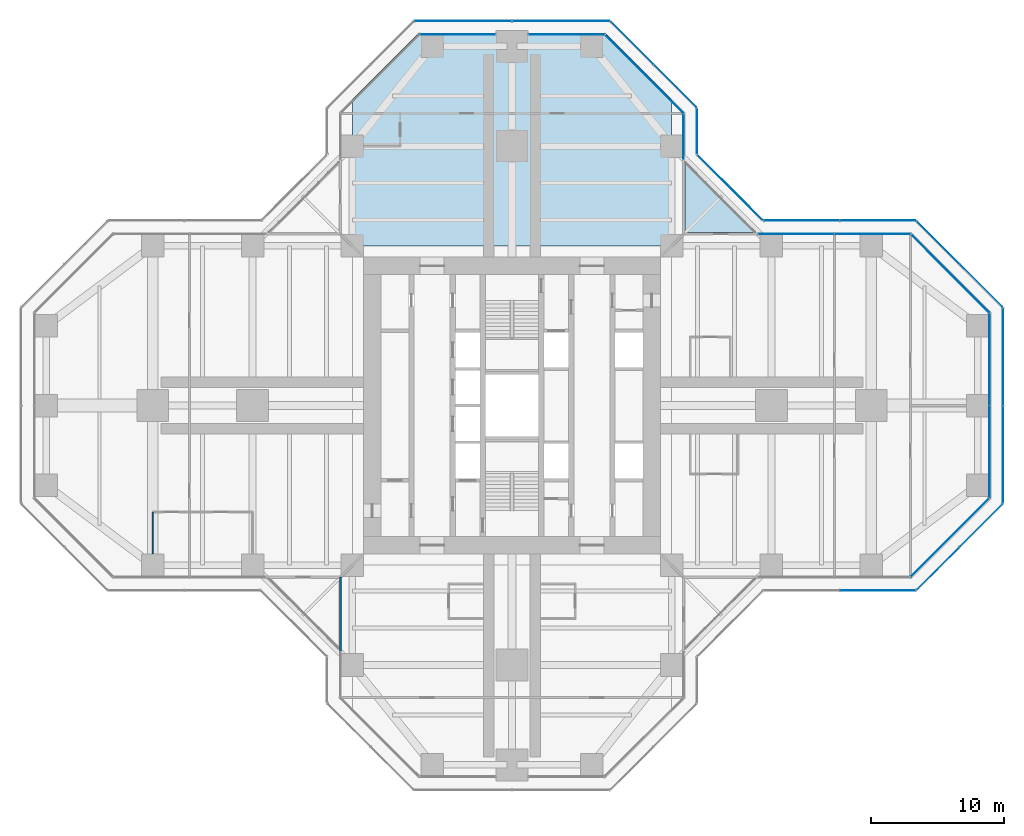
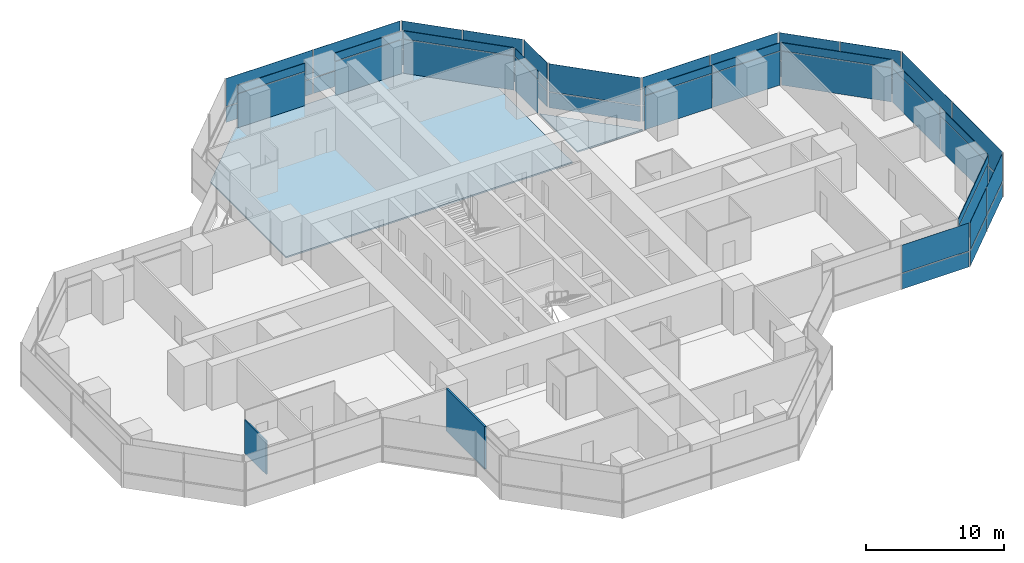
# One storey, part 14 of 19: 50 plates, 2 slabs, 2 walls, 17 elements without a shape of their own.
"""IFC4 building model written with IfcOpenShell, lengths in metres."""

from ifc_helpers import new_model, si_unit, direction, frame, frame_2d, origin, origin_2d, place, context, subcontext, project, spatial, polyline, rectangle, outline, extrude, material, layer, layer_set, type_object, element, aggregate, save


model = new_model("IFC4")

# Units and contexts
model_context = context("Model", 3, precision=1e-05, world=origin(), true_north=direction((0.0, 1.0)))
body_context = subcontext(model_context, "Body", "Model", "MODEL_VIEW")
ifc_project = project(units=[si_unit("LENGTHUNIT", "METRE"), si_unit("AREAUNIT", "SQUARE_METRE"), si_unit("VOLUMEUNIT", "CUBIC_METRE"), si_unit("PLANEANGLEUNIT", "RADIAN"), si_unit("MASSUNIT", "GRAM", prefix="KILO")], contexts=[model_context])

# Site, building, storey
site_placement = place(None, origin())
site = spatial("IfcSite", under=ifc_project, at=site_placement, CompositionType="ELEMENT")
building_placement = place(site_placement, origin())
building = spatial("IfcBuilding", under=site, at=building_placement, Name="Mizan Broadcast Tower", CompositionType="ELEMENT")
storey_placement = place(building_placement, frame((0.0, 0.0, 182.699951171875)))
storey = spatial("IfcBuildingStorey", under=building, at=storey_placement, Name="L42", CompositionType="ELEMENT", Elevation=182.699951171875)

# Slab
ifc_material_1 = material(Name="Concrete C32/40", Category="concrete")
ifc_layer_1 = layer(ifc_material_1, 0.1298828125)
ifc_layer_set_1 = layer_set([ifc_layer_1], Name="Concrete C32/40")
slab_type_1 = type_object("IfcSlabType", Name="COMPOSITE DECK SLAB 130", PredefinedType="FLOOR", material=ifc_layer_set_1)
slab_1_placement = place(storey_placement, frame((0.0, 0.0, -0.1298828125)))
element("IfcSlab", 1, at=slab_1_placement, inside=storey, type_object=slab_type_1, Name="Floor slab L42 north arm", PredefinedType="FLOOR", context=body_context, shape_type="SweptSolid", body=[
    extrude(outline(polyline([(-7.0, 28.0), (-12.0, 23.0), (-12.0, 12.0), (12.0, 12.0), (12.0, 23.0), (7.0, 28.0), (-7.0, 28.0)])), origin(), (0.0, 0.0, 1.0), 0.1298828125),
])

# Curtain wall, plate
ifc_material_2 = material(Name="Aluminium framed glazing", Category="aluminium")
curtain_wall_type_1 = type_object("IfcCurtainWallType", Name="INNER SKIN MID ZONE", PredefinedType="USERDEFINED", material=ifc_material_2)
curtain_wall_1_placement = place(storey_placement, origin())
curtain_wall_1 = element("IfcCurtainWall", 2, at=curtain_wall_1_placement, inside=storey, type_object=curtain_wall_type_1, Name="Inner skin mid zone L42 E chamfer", ObjectType="INNER SKIN MID ZONE", PredefinedType="USERDEFINED")
ifc_material_3 = material(Name="Double glazing, clear low-e", Category="glass")
ifc_layer_2 = layer(ifc_material_3, 0.028076171875)
ifc_layer_set_2 = layer_set([ifc_layer_2], Name="Double glazing, clear low-e")
plate_type_1 = type_object("IfcPlateType", Name="INNER SKIN GLAZING UNIT", PredefinedType="CURTAIN_PANEL", material=ifc_layer_set_2)
plate_1_placement = place(storey_placement, frame((32.92919921875, -9.92919921875, 0.0), z_axis=(0.0, 0.0, 1.0), x_axis=(0.707106781187, 0.707106781187, 0.0)))
plate_1 = element("IfcPlate", 3, at=plate_1_placement, type_object=plate_type_1, Name="Inner skin mid zone L42 E chamfer panel 1.1", PredefinedType="CURTAIN_PANEL", context=body_context, shape_type="SweptSolid", body=[
    extrude(rectangle(XDim=8.282470703125, YDim=0.028076171875, at=origin_2d()), origin(), (0.0, 0.0, 1.0), 3.0),
])

# Curtain wall, plates
curtain_wall_2_placement = place(storey_placement, origin())
curtain_wall_2 = element("IfcCurtainWall", 4, at=curtain_wall_2_placement, inside=storey, type_object=curtain_wall_type_1, Name="Inner skin mid zone L42 E end", ObjectType="INNER SKIN MID ZONE", PredefinedType="USERDEFINED")
plate_2_placement = place(storey_placement, frame((35.89990234375, -3.46435546875, 0.0), z_axis=(0.0, 0.0, 1.0), x_axis=(0.0, 1.0, 0.0)))
plate_2 = element("IfcPlate", 5, at=plate_2_placement, type_object=plate_type_1, Name="Inner skin mid zone L42 E end panel 1.1", PredefinedType="CURTAIN_PANEL", context=body_context, shape_type="SweptSolid", body=[
    extrude(rectangle(XDim=6.86865234375, YDim=0.028076171875, at=origin_2d()), origin(), (0.0, 0.0, 1.0), 3.0),
])
plate_3_placement = place(storey_placement, frame((35.89990234375, 3.46435546875, 0.0), z_axis=(0.0, 0.0, 1.0), x_axis=(0.0, 1.0, 0.0)))
plate_3 = element("IfcPlate", 6, at=plate_3_placement, type_object=plate_type_1, Name="Inner skin mid zone L42 E end panel 2.1", PredefinedType="CURTAIN_PANEL", context=body_context, shape_type="SweptSolid", body=[
    extrude(rectangle(XDim=6.86865234375, YDim=0.028076171875, at=origin_2d()), origin(), (0.0, 0.0, 1.0), 3.0),
])

# Curtain wall, plate
curtain_wall_3_placement = place(storey_placement, origin())
curtain_wall_3 = element("IfcCurtainWall", 7, at=curtain_wall_3_placement, inside=storey, type_object=curtain_wall_type_1, Name="Inner skin mid zone L42 E chamfer", ObjectType="INNER SKIN MID ZONE", PredefinedType="USERDEFINED")
plate_4_placement = place(storey_placement, frame((32.92919921875, 9.92919921875, 0.0), z_axis=(0.0, 0.0, 1.0), x_axis=(-0.707106781187, 0.707106781187, 0.0)))
plate_4 = element("IfcPlate", 8, at=plate_4_placement, type_object=plate_type_1, Name="Inner skin mid zone L42 E chamfer panel 1.1", PredefinedType="CURTAIN_PANEL", context=body_context, shape_type="SweptSolid", body=[
    extrude(rectangle(XDim=8.282470703125, YDim=0.028076171875, at=origin_2d()), origin(), (0.0, 0.0, 1.0), 3.0),
])

# Curtain wall, plates
curtain_wall_4_placement = place(storey_placement, origin())
curtain_wall_4 = element("IfcCurtainWall", 9, at=curtain_wall_4_placement, inside=storey, type_object=curtain_wall_type_1, Name="Inner skin mid zone L42 E side", ObjectType="INNER SKIN MID ZONE", PredefinedType="USERDEFINED")
plate_5_placement = place(storey_placement, frame((27.078857421875, 12.89990234375, 0.0), z_axis=(0.0, 0.0, 1.0), x_axis=(-1.0, 0.0, 0.0)))
plate_5 = element("IfcPlate", 10, at=plate_5_placement, type_object=plate_type_1, Name="Inner skin mid zone L42 E side panel 1.1", PredefinedType="CURTAIN_PANEL", context=body_context, shape_type="SweptSolid", body=[
    extrude(rectangle(XDim=5.639404296875, YDim=0.028076171875, at=origin_2d()), origin(), (0.0, 0.0, 1.0), 3.0),
])
plate_6_placement = place(storey_placement, frame((21.379638671875, 12.89990234375, 0.0), z_axis=(0.0, 0.0, 1.0), x_axis=(-1.0, 0.0, 0.0)))
plate_6 = element("IfcPlate", 11, at=plate_6_placement, type_object=plate_type_1, Name="Inner skin mid zone L42 E side panel 2.1", PredefinedType="CURTAIN_PANEL", context=body_context, shape_type="SweptSolid", body=[
    extrude(rectangle(XDim=5.639404296875, YDim=0.028076171875, at=origin_2d()), origin(), (0.0, 0.0, 1.0), 3.0),
])

# Curtain wall, plate
curtain_wall_5_placement = place(storey_placement, origin())
curtain_wall_5 = element("IfcCurtainWall", 12, at=curtain_wall_5_placement, inside=storey, type_object=curtain_wall_type_1, Name="Inner skin mid zone L42 N side", ObjectType="INNER SKIN MID ZONE", PredefinedType="USERDEFINED")
plate_7_placement = place(storey_placement, frame((12.89990234375, 20.229248046875, 0.0), z_axis=(0.0, 0.0, 1.0), x_axis=(0.0, 1.0, 0.0)))
plate_7 = element("IfcPlate", 13, at=plate_7_placement, type_object=plate_type_1, Name="Inner skin mid zone L42 N side panel 1.1", PredefinedType="CURTAIN_PANEL", context=body_context, shape_type="SweptSolid", body=[
    extrude(rectangle(XDim=3.338623046875, YDim=0.028076171875, at=origin_2d()), origin(), (0.0, 0.0, 1.0), 3.0),
])

curtain_wall_6_placement = place(storey_placement, origin())
curtain_wall_6 = element("IfcCurtainWall", 14, at=curtain_wall_6_placement, inside=storey, type_object=curtain_wall_type_1, Name="Inner skin mid zone L42 N chamfer", ObjectType="INNER SKIN MID ZONE", PredefinedType="USERDEFINED")
plate_8_placement = place(storey_placement, frame((9.92919921875, 24.92919921875, 0.0), z_axis=(0.0, 0.0, 1.0), x_axis=(-0.707106781187, 0.707106781187, 0.0)))
plate_8 = element("IfcPlate", 15, at=plate_8_placement, type_object=plate_type_1, Name="Inner skin mid zone L42 N chamfer panel 1.1", PredefinedType="CURTAIN_PANEL", context=body_context, shape_type="SweptSolid", body=[
    extrude(rectangle(XDim=8.282470703125, YDim=0.028076171875, at=origin_2d()), origin(), (0.0, 0.0, 1.0), 3.0),
])

curtain_wall_7_placement = place(storey_placement, origin())
curtain_wall_7 = element("IfcCurtainWall", 16, at=curtain_wall_7_placement, inside=storey, type_object=curtain_wall_type_1, Name="Inner skin mid zone L42 N end", ObjectType="INNER SKIN MID ZONE", PredefinedType="USERDEFINED")
plate_9_placement = place(storey_placement, frame((4.079345703125, 27.89990234375, 0.0), z_axis=(0.0, 0.0, 1.0), x_axis=(-1.0, 0.0, 0.0)))
plate_9 = element("IfcPlate", 17, at=plate_9_placement, type_object=plate_type_1, Name="Inner skin mid zone L42 N end panel 1.1", PredefinedType="CURTAIN_PANEL", context=body_context, shape_type="SweptSolid", body=[
    extrude(rectangle(XDim=5.638671875, YDim=0.028076171875, at=origin_2d()), origin(), (0.0, 0.0, 1.0), 3.0),
])

curtain_wall_8_placement = place(storey_placement, origin())
curtain_wall_8 = element("IfcCurtainWall", 18, at=curtain_wall_8_placement, inside=storey, type_object=curtain_wall_type_1, Name="Inner skin mid zone L42 N end", ObjectType="INNER SKIN MID ZONE", PredefinedType="USERDEFINED")
plate_10_placement = place(storey_placement, frame((-4.079345703125, 27.89990234375, 0.0), z_axis=(0.0, 0.0, 1.0), x_axis=(-1.0, 0.0, 0.0)))
plate_10 = element("IfcPlate", 19, at=plate_10_placement, type_object=plate_type_1, Name="Inner skin mid zone L42 N end panel 1.1", PredefinedType="CURTAIN_PANEL", context=body_context, shape_type="SweptSolid", body=[
    extrude(rectangle(XDim=5.638671875, YDim=0.028076171875, at=origin_2d()), origin(), (0.0, 0.0, 1.0), 3.0),
])

# Plate
ifc_material_4 = material(Name="Insulated aluminium spandrel panel, pale anodised", Category="aluminium")
ifc_layer_3 = layer(ifc_material_4, 0.050048828125)
ifc_layer_set_3 = layer_set([ifc_layer_3], Name="Insulated aluminium spandrel panel, pale anodised")
plate_type_2 = type_object("IfcPlateType", Name="INNER SKIN SPANDREL PANEL", PredefinedType="CURTAIN_PANEL", material=ifc_layer_set_3)
plate_11_placement = place(storey_placement, frame((32.92919921875, -9.92919921875, 3.06005859375), z_axis=(0.0, 0.0, 1.0), x_axis=(0.707106781187, 0.707106781187, 0.0)))
plate_11 = element("IfcPlate", 20, at=plate_11_placement, type_object=plate_type_2, Name="Inner skin mid zone L42 E chamfer panel 1.2", PredefinedType="CURTAIN_PANEL", context=body_context, shape_type="SweptSolid", body=[
    extrude(rectangle(XDim=8.282470703125, YDim=0.050048828125, at=origin_2d()), origin(), (0.0, 0.0, 1.0), 0.7099609375),
])

aggregate(curtain_wall_1, [plate_1, plate_11])

plate_12_placement = place(storey_placement, frame((35.89990234375, -3.46435546875, 3.06005859375), z_axis=(0.0, 0.0, 1.0), x_axis=(0.0, 1.0, 0.0)))
plate_12 = element("IfcPlate", 21, at=plate_12_placement, type_object=plate_type_2, Name="Inner skin mid zone L42 E end panel 1.2", PredefinedType="CURTAIN_PANEL", context=body_context, shape_type="SweptSolid", body=[
    extrude(rectangle(XDim=6.86865234375, YDim=0.050048828125, at=origin_2d()), origin(), (0.0, 0.0, 1.0), 0.7099609375),
])

plate_13_placement = place(storey_placement, frame((35.89990234375, 3.46435546875, 3.06005859375), z_axis=(0.0, 0.0, 1.0), x_axis=(0.0, 1.0, 0.0)))
plate_13 = element("IfcPlate", 22, at=plate_13_placement, type_object=plate_type_2, Name="Inner skin mid zone L42 E end panel 2.2", PredefinedType="CURTAIN_PANEL", context=body_context, shape_type="SweptSolid", body=[
    extrude(rectangle(XDim=6.86865234375, YDim=0.050048828125, at=origin_2d()), origin(), (0.0, 0.0, 1.0), 0.7099609375),
])

aggregate(curtain_wall_2, [plate_2, plate_12, plate_3, plate_13])

plate_14_placement = place(storey_placement, frame((32.92919921875, 9.92919921875, 3.06005859375), z_axis=(0.0, 0.0, 1.0), x_axis=(-0.707106781187, 0.707106781187, 0.0)))
plate_14 = element("IfcPlate", 23, at=plate_14_placement, type_object=plate_type_2, Name="Inner skin mid zone L42 E chamfer panel 1.2", PredefinedType="CURTAIN_PANEL", context=body_context, shape_type="SweptSolid", body=[
    extrude(rectangle(XDim=8.282470703125, YDim=0.050048828125, at=origin_2d()), origin(), (0.0, 0.0, 1.0), 0.7099609375),
])

aggregate(curtain_wall_3, [plate_4, plate_14])

plate_15_placement = place(storey_placement, frame((27.078857421875, 12.89990234375, 3.06005859375), z_axis=(0.0, 0.0, 1.0), x_axis=(-1.0, 0.0, 0.0)))
plate_15 = element("IfcPlate", 24, at=plate_15_placement, type_object=plate_type_2, Name="Inner skin mid zone L42 E side panel 1.2", PredefinedType="CURTAIN_PANEL", context=body_context, shape_type="SweptSolid", body=[
    extrude(rectangle(XDim=5.639404296875, YDim=0.050048828125, at=origin_2d()), origin(), (0.0, 0.0, 1.0), 0.7099609375),
])

plate_16_placement = place(storey_placement, frame((21.379638671875, 12.89990234375, 3.06005859375), z_axis=(0.0, 0.0, 1.0), x_axis=(-1.0, 0.0, 0.0)))
plate_16 = element("IfcPlate", 25, at=plate_16_placement, type_object=plate_type_2, Name="Inner skin mid zone L42 E side panel 2.2", PredefinedType="CURTAIN_PANEL", context=body_context, shape_type="SweptSolid", body=[
    extrude(rectangle(XDim=5.639404296875, YDim=0.050048828125, at=origin_2d()), origin(), (0.0, 0.0, 1.0), 0.7099609375),
])

aggregate(curtain_wall_4, [plate_5, plate_15, plate_6, plate_16])

plate_17_placement = place(storey_placement, frame((12.89990234375, 20.229248046875, 3.06005859375), z_axis=(0.0, 0.0, 1.0), x_axis=(0.0, 1.0, 0.0)))
plate_17 = element("IfcPlate", 26, at=plate_17_placement, type_object=plate_type_2, Name="Inner skin mid zone L42 N side panel 1.2", PredefinedType="CURTAIN_PANEL", context=body_context, shape_type="SweptSolid", body=[
    extrude(rectangle(XDim=3.338623046875, YDim=0.050048828125, at=origin_2d()), origin(), (0.0, 0.0, 1.0), 0.7099609375),
])

aggregate(curtain_wall_5, [plate_7, plate_17])

plate_18_placement = place(storey_placement, frame((9.92919921875, 24.92919921875, 3.06005859375), z_axis=(0.0, 0.0, 1.0), x_axis=(-0.707106781187, 0.707106781187, 0.0)))
plate_18 = element("IfcPlate", 27, at=plate_18_placement, type_object=plate_type_2, Name="Inner skin mid zone L42 N chamfer panel 1.2", PredefinedType="CURTAIN_PANEL", context=body_context, shape_type="SweptSolid", body=[
    extrude(rectangle(XDim=8.282470703125, YDim=0.050048828125, at=origin_2d()), origin(), (0.0, 0.0, 1.0), 0.7099609375),
])

aggregate(curtain_wall_6, [plate_8, plate_18])

plate_19_placement = place(storey_placement, frame((4.079345703125, 27.89990234375, 3.06005859375), z_axis=(0.0, 0.0, 1.0), x_axis=(-1.0, 0.0, 0.0)))
plate_19 = element("IfcPlate", 28, at=plate_19_placement, type_object=plate_type_2, Name="Inner skin mid zone L42 N end panel 1.2", PredefinedType="CURTAIN_PANEL", context=body_context, shape_type="SweptSolid", body=[
    extrude(rectangle(XDim=5.638671875, YDim=0.050048828125, at=origin_2d()), origin(), (0.0, 0.0, 1.0), 0.7099609375),
])

aggregate(curtain_wall_7, [plate_9, plate_19])

plate_20_placement = place(storey_placement, frame((-4.079345703125, 27.89990234375, 3.06005859375), z_axis=(0.0, 0.0, 1.0), x_axis=(-1.0, 0.0, 0.0)))
plate_20 = element("IfcPlate", 29, at=plate_20_placement, type_object=plate_type_2, Name="Inner skin mid zone L42 N end panel 1.2", PredefinedType="CURTAIN_PANEL", context=body_context, shape_type="SweptSolid", body=[
    extrude(rectangle(XDim=5.638671875, YDim=0.050048828125, at=origin_2d()), origin(), (0.0, 0.0, 1.0), 0.7099609375),
])

aggregate(curtain_wall_8, [plate_10, plate_20])

# Curtain wall, plates
ifc_material_5 = material(Name="Aluminium framed glazing", Category="aluminium")
curtain_wall_type_2 = type_object("IfcCurtainWallType", Name="OUTER SKIN", PredefinedType="USERDEFINED", material=ifc_material_5)
curtain_wall_9_placement = place(storey_placement, origin())
curtain_wall_9 = element("IfcCurtainWall", 30, at=curtain_wall_9_placement, inside=storey, type_object=curtain_wall_type_2, Name="Outer skin L42 E chamfer", ObjectType="OUTER SKIN", PredefinedType="USERDEFINED")
ifc_material_6 = material(Name="Laminated clear glass", Category="glass")
ifc_layer_4 = layer(ifc_material_6, 0.02001953125)
ifc_layer_set_4 = layer_set([ifc_layer_4], Name="Laminated clear glass")
plate_type_3 = type_object("IfcPlateType", Name="OUTER SKIN CLEAR GLASS", PredefinedType="CURTAIN_PANEL", material=ifc_layer_set_4)
plate_21_placement = place(storey_placement, frame((32.018798828125, -12.254150390625, 0.0), z_axis=(0.0, 0.0, 1.0), x_axis=(0.707106781187, 0.707106781187, 0.0)))
plate_21 = element("IfcPlate", 31, at=plate_21_placement, type_object=plate_type_3, Name="Outer skin L42 E chamfer panel 1.1", PredefinedType="CURTAIN_PANEL", context=body_context, shape_type="SweptSolid", body=[
    extrude(rectangle(XDim=4.495361328125, YDim=0.02001953125, at=origin_2d()), origin(), (0.0, 0.0, 1.0), 1.3701171875),
])
plate_22_placement = place(storey_placement, frame((32.018798828125, -12.254150390625, 1.43017578125), z_axis=(0.0, 0.0, 1.0), x_axis=(0.707106781187, 0.707106781187, 0.0)))
plate_22 = element("IfcPlate", 32, at=plate_22_placement, type_object=plate_type_3, Name="Outer skin L42 E chamfer panel 1.2", PredefinedType="CURTAIN_PANEL", context=body_context, shape_type="SweptSolid", body=[
    extrude(rectangle(XDim=4.495361328125, YDim=0.02001953125, at=origin_2d()), origin(), (0.0, 0.0, 1.0), 2.469970703125),
])

curtain_wall_10_placement = place(storey_placement, origin())
curtain_wall_10 = element("IfcCurtainWall", 33, at=curtain_wall_10_placement, inside=storey, type_object=curtain_wall_type_2, Name="Outer skin L42 E end", ObjectType="OUTER SKIN", PredefinedType="USERDEFINED")
plate_23_placement = place(storey_placement, frame((36.89990234375, -3.66650390625, 0.0), z_axis=(0.0, 0.0, 1.0), x_axis=(0.0, 1.0, 0.0)))
plate_23 = element("IfcPlate", 34, at=plate_23_placement, type_object=plate_type_3, Name="Outer skin L42 E end panel 1.1", PredefinedType="CURTAIN_PANEL", context=body_context, shape_type="SweptSolid", body=[
    extrude(rectangle(XDim=7.252685546875, YDim=0.02001953125, at=origin_2d()), origin(), (0.0, 0.0, 1.0), 1.3701171875),
])
plate_24_placement = place(storey_placement, frame((36.89990234375, -3.66650390625, 1.43017578125), z_axis=(0.0, 0.0, 1.0), x_axis=(0.0, 1.0, 0.0)))
plate_24 = element("IfcPlate", 35, at=plate_24_placement, type_object=plate_type_3, Name="Outer skin L42 E end panel 1.2", PredefinedType="CURTAIN_PANEL", context=body_context, shape_type="SweptSolid", body=[
    extrude(rectangle(XDim=7.252685546875, YDim=0.02001953125, at=origin_2d()), origin(), (0.0, 0.0, 1.0), 2.469970703125),
])

curtain_wall_11_placement = place(storey_placement, origin())
curtain_wall_11 = element("IfcCurtainWall", 36, at=curtain_wall_11_placement, inside=storey, type_object=curtain_wall_type_2, Name="Outer skin L42 E chamfer", ObjectType="OUTER SKIN", PredefinedType="USERDEFINED")
plate_25_placement = place(storey_placement, frame((35.254150390625, 9.018798828125, 0.0), z_axis=(0.0, 0.0, 1.0), x_axis=(-0.707106781187, 0.707106781187, 0.0)))
plate_25 = element("IfcPlate", 37, at=plate_25_placement, type_object=plate_type_3, Name="Outer skin L42 E chamfer panel 1.1", PredefinedType="CURTAIN_PANEL", context=body_context, shape_type="SweptSolid", body=[
    extrude(rectangle(XDim=4.495361328125, YDim=0.02001953125, at=origin_2d()), origin(), (0.0, 0.0, 1.0), 1.3701171875),
])
plate_26_placement = place(storey_placement, frame((35.254150390625, 9.018798828125, 1.43017578125), z_axis=(0.0, 0.0, 1.0), x_axis=(-0.707106781187, 0.707106781187, 0.0)))
plate_26 = element("IfcPlate", 38, at=plate_26_placement, type_object=plate_type_3, Name="Outer skin L42 E chamfer panel 1.2", PredefinedType="CURTAIN_PANEL", context=body_context, shape_type="SweptSolid", body=[
    extrude(rectangle(XDim=4.495361328125, YDim=0.02001953125, at=origin_2d()), origin(), (0.0, 0.0, 1.0), 2.469970703125),
])

curtain_wall_12_placement = place(storey_placement, origin())
curtain_wall_12 = element("IfcCurtainWall", 39, at=curtain_wall_12_placement, inside=storey, type_object=curtain_wall_type_2, Name="Outer skin L42 E side", ObjectType="OUTER SKIN", PredefinedType="USERDEFINED")
plate_27_placement = place(storey_placement, frame((27.477783203125, 13.89990234375, 0.0), z_axis=(0.0, 0.0, 1.0), x_axis=(-1.0, 0.0, 0.0)))
plate_27 = element("IfcPlate", 40, at=plate_27_placement, type_object=plate_type_3, Name="Outer skin L42 E side panel 1.1", PredefinedType="CURTAIN_PANEL", context=body_context, shape_type="SweptSolid", body=[
    extrude(rectangle(XDim=5.6298828125, YDim=0.02001953125, at=origin_2d()), origin(), (0.0, 0.0, 1.0), 1.3701171875),
])
plate_28_placement = place(storey_placement, frame((27.477783203125, 13.89990234375, 1.43017578125), z_axis=(0.0, 0.0, 1.0), x_axis=(-1.0, 0.0, 0.0)))
plate_28 = element("IfcPlate", 41, at=plate_28_placement, type_object=plate_type_3, Name="Outer skin L42 E side panel 1.2", PredefinedType="CURTAIN_PANEL", context=body_context, shape_type="SweptSolid", body=[
    extrude(rectangle(XDim=5.6298828125, YDim=0.02001953125, at=origin_2d()), origin(), (0.0, 0.0, 1.0), 2.469970703125),
])
plate_29_placement = place(storey_placement, frame((21.767822265625, 13.89990234375, 0.0), z_axis=(0.0, 0.0, 1.0), x_axis=(-1.0, 0.0, 0.0)))
plate_29 = element("IfcPlate", 42, at=plate_29_placement, type_object=plate_type_3, Name="Outer skin L42 E side panel 2.1", PredefinedType="CURTAIN_PANEL", context=body_context, shape_type="SweptSolid", body=[
    extrude(rectangle(XDim=5.6298828125, YDim=0.02001953125, at=origin_2d()), origin(), (0.0, 0.0, 1.0), 1.3701171875),
])
plate_30_placement = place(storey_placement, frame((21.767822265625, 13.89990234375, 1.43017578125), z_axis=(0.0, 0.0, 1.0), x_axis=(-1.0, 0.0, 0.0)))
plate_30 = element("IfcPlate", 43, at=plate_30_placement, type_object=plate_type_3, Name="Outer skin L42 E side panel 2.2", PredefinedType="CURTAIN_PANEL", context=body_context, shape_type="SweptSolid", body=[
    extrude(rectangle(XDim=5.6298828125, YDim=0.02001953125, at=origin_2d()), origin(), (0.0, 0.0, 1.0), 2.469970703125),
])
aggregate(curtain_wall_12, [plate_27, plate_28, plate_29, plate_30])

curtain_wall_13_placement = place(storey_placement, origin())
curtain_wall_13 = element("IfcCurtainWall", 44, at=curtain_wall_13_placement, inside=storey, type_object=curtain_wall_type_2, Name="Outer skin L42 E chamfer", ObjectType="OUTER SKIN", PredefinedType="USERDEFINED")
plate_31_placement = place(storey_placement, frame((16.386474609375, 16.386474609375, 0.0), z_axis=(0.0, 0.0, 1.0), x_axis=(-0.707106781187, 0.707106781187, 0.0)))
plate_31 = element("IfcPlate", 45, at=plate_31_placement, type_object=plate_type_3, Name="Outer skin L42 E chamfer panel 1.1", PredefinedType="CURTAIN_PANEL", context=body_context, shape_type="SweptSolid", body=[
    extrude(rectangle(XDim=6.87255859375, YDim=0.02001953125, at=origin_2d()), origin(), (0.0, 0.0, 1.0), 1.3701171875),
])
plate_32_placement = place(storey_placement, frame((16.386474609375, 16.386474609375, 1.43017578125), z_axis=(0.0, 0.0, 1.0), x_axis=(-0.707106781187, 0.707106781187, 0.0)))
plate_32 = element("IfcPlate", 46, at=plate_32_placement, type_object=plate_type_3, Name="Outer skin L42 E chamfer panel 1.2", PredefinedType="CURTAIN_PANEL", context=body_context, shape_type="SweptSolid", body=[
    extrude(rectangle(XDim=6.87255859375, YDim=0.02001953125, at=origin_2d()), origin(), (0.0, 0.0, 1.0), 2.469970703125),
])
aggregate(curtain_wall_13, [plate_31, plate_32])

curtain_wall_14_placement = place(storey_placement, origin())
curtain_wall_14 = element("IfcCurtainWall", 47, at=curtain_wall_14_placement, inside=storey, type_object=curtain_wall_type_2, Name="Outer skin L42 N side", ObjectType="OUTER SKIN", PredefinedType="USERDEFINED")
plate_33_placement = place(storey_placement, frame((13.89990234375, 20.622802734375, 0.0), z_axis=(0.0, 0.0, 1.0), x_axis=(0.0, 1.0, 0.0)))
plate_33 = element("IfcPlate", 48, at=plate_33_placement, type_object=plate_type_3, Name="Outer skin L42 N side panel 1.1", PredefinedType="CURTAIN_PANEL", context=body_context, shape_type="SweptSolid", body=[
    extrude(rectangle(XDim=3.340087890625, YDim=0.02001953125, at=origin_2d()), origin(), (0.0, 0.0, 1.0), 1.3701171875),
])
plate_34_placement = place(storey_placement, frame((13.89990234375, 20.622802734375, 1.43017578125), z_axis=(0.0, 0.0, 1.0), x_axis=(0.0, 1.0, 0.0)))
plate_34 = element("IfcPlate", 49, at=plate_34_placement, type_object=plate_type_3, Name="Outer skin L42 N side panel 1.2", PredefinedType="CURTAIN_PANEL", context=body_context, shape_type="SweptSolid", body=[
    extrude(rectangle(XDim=3.340087890625, YDim=0.02001953125, at=origin_2d()), origin(), (0.0, 0.0, 1.0), 2.469970703125),
])
aggregate(curtain_wall_14, [plate_33, plate_34])

curtain_wall_15_placement = place(storey_placement, origin())
curtain_wall_15 = element("IfcCurtainWall", 50, at=curtain_wall_15_placement, inside=storey, type_object=curtain_wall_type_2, Name="Outer skin L42 N chamfer", ObjectType="OUTER SKIN", PredefinedType="USERDEFINED")
plate_35_placement = place(storey_placement, frame((12.254150390625, 24.018798828125, 0.0), z_axis=(0.0, 0.0, 1.0), x_axis=(-0.707106781187, 0.707106781187, 0.0)))
plate_35 = element("IfcPlate", 51, at=plate_35_placement, type_object=plate_type_3, Name="Outer skin L42 N chamfer panel 1.1", PredefinedType="CURTAIN_PANEL", context=body_context, shape_type="SweptSolid", body=[
    extrude(rectangle(XDim=4.495361328125, YDim=0.02001953125, at=origin_2d()), origin(), (0.0, 0.0, 1.0), 1.3701171875),
])
plate_36_placement = place(storey_placement, frame((12.254150390625, 24.018798828125, 1.43017578125), z_axis=(0.0, 0.0, 1.0), x_axis=(-0.707106781187, 0.707106781187, 0.0)))
plate_36 = element("IfcPlate", 52, at=plate_36_placement, type_object=plate_type_3, Name="Outer skin L42 N chamfer panel 1.2", PredefinedType="CURTAIN_PANEL", context=body_context, shape_type="SweptSolid", body=[
    extrude(rectangle(XDim=4.495361328125, YDim=0.02001953125, at=origin_2d()), origin(), (0.0, 0.0, 1.0), 2.469970703125),
])

curtain_wall_16_placement = place(storey_placement, origin())
curtain_wall_16 = element("IfcCurtainWall", 53, at=curtain_wall_16_placement, inside=storey, type_object=curtain_wall_type_2, Name="Outer skin L42 N end", ObjectType="OUTER SKIN", PredefinedType="USERDEFINED")
plate_37_placement = place(storey_placement, frame((3.66650390625, 28.89990234375, 0.0), z_axis=(0.0, 0.0, 1.0), x_axis=(-1.0, 0.0, 0.0)))
plate_37 = element("IfcPlate", 54, at=plate_37_placement, type_object=plate_type_3, Name="Outer skin L42 N end panel 1.1", PredefinedType="CURTAIN_PANEL", context=body_context, shape_type="SweptSolid", body=[
    extrude(rectangle(XDim=7.252685546875, YDim=0.02001953125, at=origin_2d()), origin(), (0.0, 0.0, 1.0), 1.3701171875),
])
plate_38_placement = place(storey_placement, frame((3.66650390625, 28.89990234375, 1.43017578125), z_axis=(0.0, 0.0, 1.0), x_axis=(-1.0, 0.0, 0.0)))
plate_38 = element("IfcPlate", 55, at=plate_38_placement, type_object=plate_type_3, Name="Outer skin L42 N end panel 1.2", PredefinedType="CURTAIN_PANEL", context=body_context, shape_type="SweptSolid", body=[
    extrude(rectangle(XDim=7.252685546875, YDim=0.02001953125, at=origin_2d()), origin(), (0.0, 0.0, 1.0), 2.469970703125),
])
plate_39_placement = place(storey_placement, frame((-3.66650390625, 28.89990234375, 0.0), z_axis=(0.0, 0.0, 1.0), x_axis=(-1.0, 0.0, 0.0)))
plate_39 = element("IfcPlate", 56, at=plate_39_placement, type_object=plate_type_3, Name="Outer skin L42 N end panel 2.1", PredefinedType="CURTAIN_PANEL", context=body_context, shape_type="SweptSolid", body=[
    extrude(rectangle(XDim=7.252685546875, YDim=0.02001953125, at=origin_2d()), origin(), (0.0, 0.0, 1.0), 1.3701171875),
])
plate_40_placement = place(storey_placement, frame((-3.66650390625, 28.89990234375, 1.43017578125), z_axis=(0.0, 0.0, 1.0), x_axis=(-1.0, 0.0, 0.0)))
plate_40 = element("IfcPlate", 57, at=plate_40_placement, type_object=plate_type_3, Name="Outer skin L42 N end panel 2.2", PredefinedType="CURTAIN_PANEL", context=body_context, shape_type="SweptSolid", body=[
    extrude(rectangle(XDim=7.252685546875, YDim=0.02001953125, at=origin_2d()), origin(), (0.0, 0.0, 1.0), 2.469970703125),
])
aggregate(curtain_wall_16, [plate_37, plate_38, plate_39, plate_40])

# Plate
ifc_material_7 = material(Name="Perforated aluminium, pale anodised", Category="aluminium")
ifc_layer_5 = layer(ifc_material_7, 0.011962890625)
ifc_layer_set_5 = layer_set([ifc_layer_5], Name="Perforated aluminium, pale anodised")
plate_type_4 = type_object("IfcPlateType", Name="OUTER SKIN PERFORATED SCREEN", PredefinedType="USERDEFINED", material=ifc_layer_set_5)
plate_41_placement = place(storey_placement, frame((35.254150390625, -9.018798828125, 0.0), z_axis=(0.0, 0.0, 1.0), x_axis=(0.707106781187, 0.707106781187, 0.0)))
plate_41 = element("IfcPlate", 58, at=plate_41_placement, type_object=plate_type_4, Name="Outer skin L42 E chamfer panel 2.1", ObjectType="SCREEN", PredefinedType="USERDEFINED", context=body_context, shape_type="SweptSolid", body=[
    extrude(rectangle(XDim=4.495361328125, YDim=0.011962890625, at=origin_2d()), origin(), (0.0, 0.0, 1.0), 1.3701171875),
])

plate_42_placement = place(storey_placement, frame((35.254150390625, -9.018798828125, 1.43017578125), z_axis=(0.0, 0.0, 1.0), x_axis=(0.707106781187, 0.707106781187, 0.0)))
plate_42 = element("IfcPlate", 59, at=plate_42_placement, type_object=plate_type_4, Name="Outer skin L42 E chamfer panel 2.2", ObjectType="SCREEN", PredefinedType="USERDEFINED", context=body_context, shape_type="SweptSolid", body=[
    extrude(rectangle(XDim=4.495361328125, YDim=0.011962890625, at=origin_2d()), origin(), (0.0, 0.0, 1.0), 2.469970703125),
])

aggregate(curtain_wall_9, [plate_21, plate_22, plate_41, plate_42])

plate_43_placement = place(storey_placement, frame((36.89990234375, 3.66650390625, 0.0), z_axis=(0.0, 0.0, 1.0), x_axis=(0.0, 1.0, 0.0)))
plate_43 = element("IfcPlate", 60, at=plate_43_placement, type_object=plate_type_4, Name="Outer skin L42 E end panel 2.1", ObjectType="SCREEN", PredefinedType="USERDEFINED", context=body_context, shape_type="SweptSolid", body=[
    extrude(rectangle(XDim=7.252685546875, YDim=0.011962890625, at=origin_2d()), origin(), (0.0, 0.0, 1.0), 1.3701171875),
])

plate_44_placement = place(storey_placement, frame((36.89990234375, 3.66650390625, 1.43017578125), z_axis=(0.0, 0.0, 1.0), x_axis=(0.0, 1.0, 0.0)))
plate_44 = element("IfcPlate", 61, at=plate_44_placement, type_object=plate_type_4, Name="Outer skin L42 E end panel 2.2", ObjectType="SCREEN", PredefinedType="USERDEFINED", context=body_context, shape_type="SweptSolid", body=[
    extrude(rectangle(XDim=7.252685546875, YDim=0.011962890625, at=origin_2d()), origin(), (0.0, 0.0, 1.0), 2.469970703125),
])

aggregate(curtain_wall_10, [plate_23, plate_24, plate_43, plate_44])

plate_45_placement = place(storey_placement, frame((32.018798828125, 12.254150390625, 0.0), z_axis=(0.0, 0.0, 1.0), x_axis=(-0.707106781187, 0.707106781187, 0.0)))
plate_45 = element("IfcPlate", 62, at=plate_45_placement, type_object=plate_type_4, Name="Outer skin L42 E chamfer panel 2.1", ObjectType="SCREEN", PredefinedType="USERDEFINED", context=body_context, shape_type="SweptSolid", body=[
    extrude(rectangle(XDim=4.495361328125, YDim=0.011962890625, at=origin_2d()), origin(), (0.0, 0.0, 1.0), 1.3701171875),
])

plate_46_placement = place(storey_placement, frame((32.018798828125, 12.254150390625, 1.43017578125), z_axis=(0.0, 0.0, 1.0), x_axis=(-0.707106781187, 0.707106781187, 0.0)))
plate_46 = element("IfcPlate", 63, at=plate_46_placement, type_object=plate_type_4, Name="Outer skin L42 E chamfer panel 2.2", ObjectType="SCREEN", PredefinedType="USERDEFINED", context=body_context, shape_type="SweptSolid", body=[
    extrude(rectangle(XDim=4.495361328125, YDim=0.011962890625, at=origin_2d()), origin(), (0.0, 0.0, 1.0), 2.469970703125),
])

aggregate(curtain_wall_11, [plate_25, plate_26, plate_45, plate_46])

plate_47_placement = place(storey_placement, frame((9.018798828125, 27.254150390625, 0.0), z_axis=(0.0, 0.0, 1.0), x_axis=(-0.707106781187, 0.707106781187, 0.0)))
plate_47 = element("IfcPlate", 64, at=plate_47_placement, type_object=plate_type_4, Name="Outer skin L42 N chamfer panel 2.1", ObjectType="SCREEN", PredefinedType="USERDEFINED", context=body_context, shape_type="SweptSolid", body=[
    extrude(rectangle(XDim=4.495361328125, YDim=0.011962890625, at=origin_2d()), origin(), (0.0, 0.0, 1.0), 1.3701171875),
])

plate_48_placement = place(storey_placement, frame((9.018798828125, 27.254150390625, 1.43017578125), z_axis=(0.0, 0.0, 1.0), x_axis=(-0.707106781187, 0.707106781187, 0.0)))
plate_48 = element("IfcPlate", 65, at=plate_48_placement, type_object=plate_type_4, Name="Outer skin L42 N chamfer panel 2.2", ObjectType="SCREEN", PredefinedType="USERDEFINED", context=body_context, shape_type="SweptSolid", body=[
    extrude(rectangle(XDim=4.495361328125, YDim=0.011962890625, at=origin_2d()), origin(), (0.0, 0.0, 1.0), 2.469970703125),
])

aggregate(curtain_wall_15, [plate_35, plate_36, plate_47, plate_48])

# Curtain wall, plates
curtain_wall_17_placement = place(storey_placement, origin())
curtain_wall_17 = element("IfcCurtainWall", 66, at=curtain_wall_17_placement, inside=storey, type_object=curtain_wall_type_2, Name="Outer skin L42 E side", ObjectType="OUTER SKIN", PredefinedType="USERDEFINED")
plate_49_placement = place(storey_placement, frame((27.477783203125, -13.89990234375, 0.0), z_axis=(0.0, 0.0, 1.0), x_axis=(1.0, 0.0, 0.0)))
plate_49 = element("IfcPlate", 67, at=plate_49_placement, type_object=plate_type_4, Name="Outer skin L42 E side panel 2.1", ObjectType="SCREEN", PredefinedType="USERDEFINED", context=body_context, shape_type="SweptSolid", body=[
    extrude(rectangle(XDim=5.6298828125, YDim=0.011962890625, at=origin_2d()), origin(), (0.0, 0.0, 1.0), 1.3701171875),
])
plate_50_placement = place(storey_placement, frame((27.477783203125, -13.89990234375, 1.43017578125), z_axis=(0.0, 0.0, 1.0), x_axis=(1.0, 0.0, 0.0)))
plate_50 = element("IfcPlate", 68, at=plate_50_placement, type_object=plate_type_4, Name="Outer skin L42 E side panel 2.2", ObjectType="SCREEN", PredefinedType="USERDEFINED", context=body_context, shape_type="SweptSolid", body=[
    extrude(rectangle(XDim=5.6298828125, YDim=0.011962890625, at=origin_2d()), origin(), (0.0, 0.0, 1.0), 2.469970703125),
])
aggregate(curtain_wall_17, [plate_49, plate_50])

# Slab
ifc_material_8 = material(Name="Concrete C32/40", Category="concrete")
ifc_layer_6 = layer(ifc_material_8, 0.1298828125)
ifc_layer_set_6 = layer_set([ifc_layer_6], Name="Concrete C32/40")
slab_type_2 = type_object("IfcSlabType", Name="WINTER GARDEN SLAB 130", PredefinedType="FLOOR", material=ifc_layer_set_6)
slab_2_placement = place(storey_placement, frame((0.0, 0.0, -0.1298828125)))
element("IfcSlab", 69, at=slab_2_placement, inside=storey, type_object=slab_type_2, Name="Winter garden slab L42 E", PredefinedType="FLOOR", context=body_context, shape_type="SweptSolid", body=[
    extrude(outline(polyline([(13.0, 13.0), (18.5, 13.0), (13.0, 18.5), (13.0, 13.0)])), origin(), (0.0, 0.0, 1.0), 0.1298828125),
])

# Walls
ifc_material_9 = material(Name="Aluminium framed glazed screen", Category="aluminium")
ifc_layer_7 = layer(ifc_material_9, 0.159912109375)
ifc_layer_set_7 = layer_set([ifc_layer_7], Name="Aluminium framed glazed screen")
wall_type_1 = type_object("IfcWallType", Name="GLAZED SCREEN WALL 160", PredefinedType="SOLIDWALL", material=ifc_layer_set_7)
wall_1_placement = place(storey_placement, frame((-12.89990234375, -12.89990234375, 0.0), z_axis=(0.0, 0.0, 1.0), x_axis=(0.0, -1.0, 0.0)))
element("IfcWall", 70, at=wall_1_placement, inside=storey, type_object=wall_type_1, Name="Winter garden screen L42 S", PredefinedType="SOLIDWALL", context=body_context, shape_type="SweptSolid", body=[
    extrude(rectangle(XDim=5.60009765625, YDim=0.159912109375, at=frame_2d((2.800048828125, 0.0))), origin(), (0.0, 0.0, 1.0), 3.77001953125),
])
ifc_material_10 = material(Name="Glazed aluminium partition on aluminium track", Category="aluminium")
ifc_layer_8 = layer(ifc_material_10, 0.10009765625)
ifc_layer_set_8 = layer_set([ifc_layer_8], Name="Glazed aluminium partition on aluminium track")
wall_type_2 = type_object("IfcWallType", Name="PARTITION GLAZED OFFICE FRONT 100", PredefinedType="PARTITIONING", material=ifc_layer_set_8)
wall_2_placement = place(storey_placement, frame((-27.0, -8.0, 0.0), z_axis=(0.0, 0.0, 1.0), x_axis=(0.0, -1.0, 0.0)))
element("IfcWall", 71, at=wall_2_placement, inside=storey, type_object=wall_type_2, Name="Glazed office front PT/WQP2700", PredefinedType="PARTITIONING", context=body_context, shape_type="SweptSolid", body=[
    extrude(rectangle(XDim=3.14990234375, YDim=0.10009765625, at=frame_2d((1.574951171875, 0.0))), origin(), (0.0, 0.0, 1.0), 2.969970703125),
])

save(model, "model.ifc")
